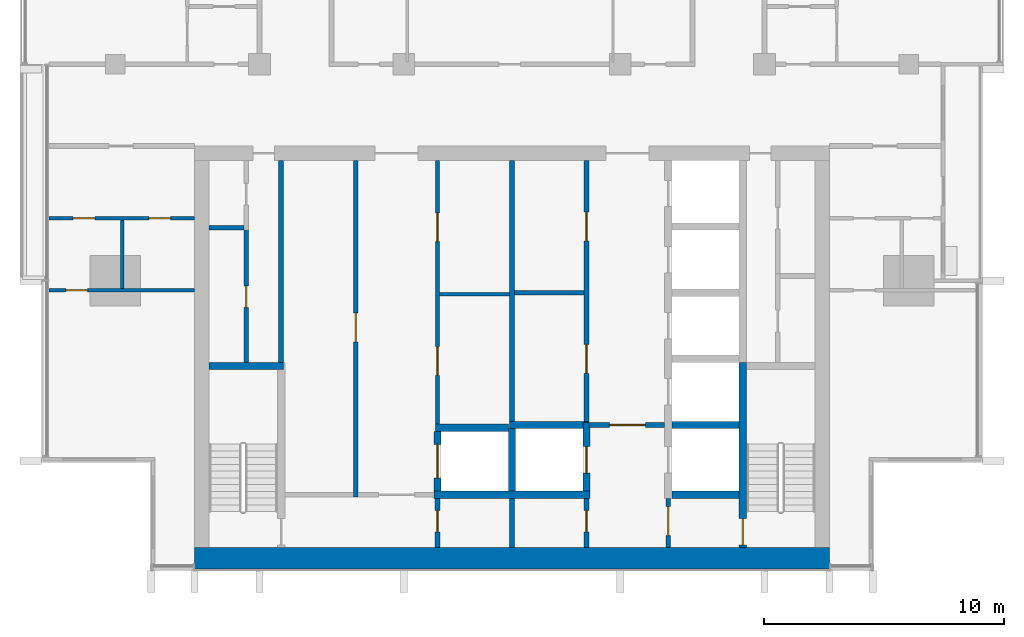
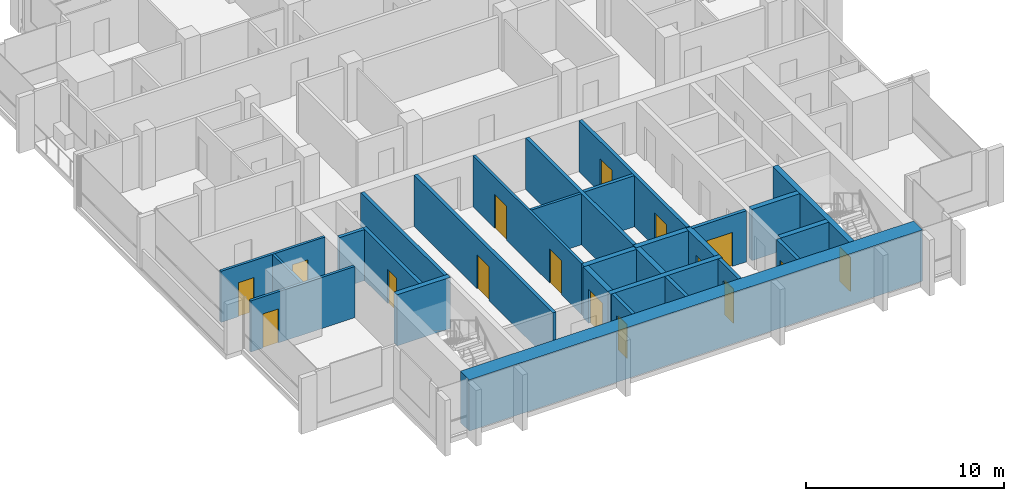
# One storey, part 7 of 16: 28 walls, 16 doors, 16 openings.
"""IFC4 building model written with IfcOpenShell, lengths in metres."""

from ifc_helpers import new_model, si_unit, direction, frame, frame_2d, origin, place, context, subcontext, project, spatial, rectangle, extrude, material, layer, layer_set, type_object, element, fill, save


model = new_model("IFC4")

# Units and contexts
model_context = context("Model", 3, precision=1e-05, world=origin(), true_north=direction((0.0, 1.0)))
body_context = subcontext(model_context, "Body", "Model", "MODEL_VIEW")
ifc_project = project(units=[si_unit("LENGTHUNIT", "METRE"), si_unit("AREAUNIT", "SQUARE_METRE"), si_unit("VOLUMEUNIT", "CUBIC_METRE"), si_unit("PLANEANGLEUNIT", "RADIAN"), si_unit("MASSUNIT", "GRAM", prefix="KILO")], contexts=[model_context])

# Site, building, storey
site_placement = place(None, origin())
site = spatial("IfcSite", under=ifc_project, at=site_placement, CompositionType="ELEMENT")
building_placement = place(site_placement, origin())
building = spatial("IfcBuilding", under=site, at=building_placement, Name="Finial Court Residences", CompositionType="ELEMENT")
storey_placement = place(building_placement, frame((0.0, 0.0, 244.699951171875)))
storey = spatial("IfcBuildingStorey", under=building, at=storey_placement, Name="L62", CompositionType="ELEMENT", Elevation=244.699951171875)

# Wall
ifc_material_1 = material(Name="Fire-rated gypsum board partition")
ifc_layer_1 = layer(ifc_material_1, 0.14990234375)
ifc_layer_set_1 = layer_set([ifc_layer_1], Name="Core room partition 150 EI 60")
wall_type_1 = type_object("IfcWallType", Name="Core room partition 150 EI 60", PredefinedType="PARTITIONING", material=ifc_layer_set_1)
wall_1_placement = place(storey_placement, frame((-3.02490234375, -14.06005859375, 0.0), z_axis=(0.0, 0.0, 1.0), x_axis=(1.0, 0.0, 0.0)))
element("IfcWall", 1, at=wall_1_placement, inside=storey, type_object=wall_type_1, Name="Core partition L62-12", PredefinedType="PARTITIONING", context=body_context, shape_type="SweptSolid", body=[
    extrude(rectangle(XDim=2.9248046875, YDim=0.14990234375, at=frame_2d((1.46240234375, 0.0))), origin(), (0.0, 0.0, 1.0), 3.150146484375),
])

# Wall, openings, doors
wall_2_placement = place(storey_placement, frame((-3.10009765625, -8.5, 0.0), z_axis=(0.0, 0.0, 1.0), x_axis=(0.0, -1.0, 0.0)))
wall_2 = element("IfcWall", 2, at=wall_2_placement, inside=storey, type_object=wall_type_1, Name="Core partition L62-25", PredefinedType="PARTITIONING", context=body_context, shape_type="SweptSolid", body=[
    extrude(rectangle(XDim=10.969970703125, YDim=0.14990234375, at=frame_2d((5.48486328125, 0.0))), origin(), (0.0, 0.0, 1.0), 3.150146484375),
])
opening_1_placement = place(wall_2_placement, frame((7.739990234375, 0.0, 0.0)))
opening_1 = element("IfcOpeningElement", 3, at=opening_1_placement, cuts=wall_2, Name="Opening L62-C17", PredefinedType="OPENING", context=body_context, shape_type="SweptSolid", body=[
    extrude(rectangle(XDim=1.199951171875, YDim=2.10009765625, at=frame_2d((0.60009765625, 1.050048828125))), frame((0.0, 0.0849609375, 0.0), z_axis=(0.0, -1.0, 0.0), x_axis=(1.0, 0.0, 0.0)), (0.0, 0.0, 1.0), 0.169921875),
])
opening_2_placement = place(wall_2_placement, frame((2.179931640625, 0.0, 0.0)))
opening_2 = element("IfcOpeningElement", 4, at=opening_2_placement, cuts=wall_2, Name="Opening L62-C18", PredefinedType="OPENING", context=body_context, shape_type="SweptSolid", body=[
    extrude(rectangle(XDim=1.199951171875, YDim=2.10009765625, at=frame_2d((0.60009765625, 1.050048828125))), frame((0.0, 0.0849609375, 0.0), z_axis=(0.0, -1.0, 0.0), x_axis=(1.0, 0.0, 0.0)), (0.0, 0.0, 1.0), 0.169921875),
])
ifc_material_2 = material(Name="Steel fire door", Category="steel")
door_type_1 = type_object("IfcDoorType", Name="Core room door 1200 x 2100 EI 60", OperationType="NOTDEFINED", PredefinedType="DOOR", material=ifc_material_2)
door_1_placement = place(opening_1_placement, origin())
door_1 = element("IfcDoor", 5, at=door_1_placement, inside=storey, type_object=door_type_1, Name="Core room door L62-C17", OperationType="SINGLE_SWING_LEFT", OverallHeight=2.10009765625, OverallWidth=1.199951171875, PredefinedType="DOOR", context=body_context, shape_type="SweptSolid", body=[
    extrude(rectangle(XDim=1.199951171875, YDim=2.10009765625, at=frame_2d((0.60009765625, 1.050048828125))), frame((0.0, 0.02490234375, 0.0), z_axis=(0.0, -1.0, 0.0), x_axis=(1.0, 0.0, 0.0)), (0.0, 0.0, 1.0), 0.050048828125),
])
fill(opening_1, door_1)
door_2_placement = place(opening_2_placement, origin())
door_2 = element("IfcDoor", 6, at=door_2_placement, inside=storey, type_object=door_type_1, Name="Core room door L62-C18", OperationType="SINGLE_SWING_LEFT", OverallHeight=2.10009765625, OverallWidth=1.199951171875, PredefinedType="DOOR", context=body_context, shape_type="SweptSolid", body=[
    extrude(rectangle(XDim=1.199951171875, YDim=2.10009765625, at=frame_2d((0.60009765625, 1.050048828125))), frame((0.0, 0.02490234375, 0.0), z_axis=(0.0, -1.0, 0.0), x_axis=(1.0, 0.0, 0.0)), (0.0, 0.0, 1.0), 0.050048828125),
])
fill(opening_2, door_2)

# Wall
ifc_material_3 = material(Name="Concrete C60/75", Category="concrete")
ifc_layer_2 = layer(ifc_material_3, 0.89990234375)
ifc_layer_set_2 = layer_set([ifc_layer_2], Name="Core south facade wall 900 Concrete C60/75")
wall_type_2 = type_object("IfcWallType", Name="Core south facade wall 900 Concrete C60/75", PredefinedType="SHEAR", material=ifc_layer_set_2)
wall_3_placement = place(storey_placement, frame((-13.199951171875, -25.050048828125, 0.0), z_axis=(0.0, 0.0, 1.0), x_axis=(1.0, 0.0, 0.0)))
element("IfcWall", 7, at=wall_3_placement, inside=storey, type_object=wall_type_2, Name="Core outer wall L62-01", PredefinedType="SHEAR", context=body_context, shape_type="SweptSolid", body=[
    extrude(rectangle(XDim=26.39990234375, YDim=0.89990234375, at=frame_2d((13.199951171875, 0.0))), origin(), (0.0, 0.0, 1.0), 3.150146484375),
])

# Wall, opening, door
ifc_layer_3 = layer(ifc_material_1, 0.199951171875)
ifc_layer_set_3 = layer_set([ifc_layer_3], Name="Firefighting lobby wall 200 EI 120")
wall_type_3 = type_object("IfcWallType", Name="Firefighting lobby wall 200 EI 120", PredefinedType="PARTITIONING", material=ifc_layer_set_3)
wall_4_placement = place(storey_placement, frame((6.35009765625, -19.5, 0.0), z_axis=(0.0, 0.0, 1.0), x_axis=(-1.0, 0.0, 0.0)))
wall_4 = element("IfcWall", 8, at=wall_4_placement, inside=storey, type_object=wall_type_3, Name="Core partition L62-07", PredefinedType="PARTITIONING", context=body_context, shape_type="SweptSolid", body=[
    extrude(rectangle(XDim=3.150146484375, YDim=0.199951171875, at=frame_2d((1.5751953125, 0.0))), origin(), (0.0, 0.0, 1.0), 3.150146484375),
])
opening_3_placement = place(wall_4_placement, frame((0.800048828125, 0.0, 0.0)))
opening_3 = element("IfcOpeningElement", 9, at=opening_3_placement, cuts=wall_4, Name="Opening L62-C02", PredefinedType="OPENING", context=body_context, shape_type="SweptSolid", body=[
    extrude(rectangle(XDim=1.5, YDim=2.10009765625, at=frame_2d((0.75, 1.050048828125))), frame((0.0, 0.10986328125, 0.0), z_axis=(0.0, -1.0, 0.0), x_axis=(1.0, 0.0, 0.0)), (0.0, 0.0, 1.0), 0.219970703125),
])
door_type_2 = type_object("IfcDoorType", Name="Firefighting lobby door 1500 x 2100 EI 90", OperationType="DOUBLE_DOOR_SINGLE_SWING", PredefinedType="DOOR", material=ifc_material_2)
door_3_placement = place(opening_3_placement, origin())
door_3 = element("IfcDoor", 10, at=door_3_placement, inside=storey, type_object=door_type_2, Name="Firefighting lobby door L62-C02", OperationType="DOUBLE_DOOR_SINGLE_SWING", OverallHeight=2.10009765625, OverallWidth=1.5, PredefinedType="DOOR", context=body_context, shape_type="SweptSolid", body=[
    extrude(rectangle(XDim=1.5, YDim=2.10009765625, at=frame_2d((0.75, 1.050048828125))), frame((0.0, 0.02490234375, 0.0), z_axis=(0.0, -1.0, 0.0), x_axis=(1.0, 0.0, 0.0)), (0.0, 0.0, 1.0), 0.050048828125),
])
fill(opening_3, door_3)

wall_5_placement = place(storey_placement, frame((3.10009765625, -24.60009765625, 0.0), z_axis=(0.0, 0.0, 1.0), x_axis=(0.0, 1.0, 0.0)))
wall_5 = element("IfcWall", 11, at=wall_5_placement, inside=storey, type_object=wall_type_3, Name="Core partition L62-29", PredefinedType="PARTITIONING", context=body_context, shape_type="SweptSolid", body=[
    extrude(rectangle(XDim=2.050048828125, YDim=0.199951171875, at=frame_2d((1.02490234375, 0.0))), origin(), (0.0, 0.0, 1.0), 3.150146484375),
])
opening_4_placement = place(wall_5_placement, frame((0.64990234375, 0.0, 0.0)))
opening_4 = element("IfcOpeningElement", 12, at=opening_4_placement, cuts=wall_5, Name="Opening L62-C06", PredefinedType="OPENING", context=body_context, shape_type="SweptSolid", body=[
    extrude(rectangle(XDim=0.89990234375, YDim=2.10009765625, at=frame_2d((0.449951171875, 1.050048828125))), frame((0.0, 0.10986328125, 0.0), z_axis=(0.0, -1.0, 0.0), x_axis=(1.0, 0.0, 0.0)), (0.0, 0.0, 1.0), 0.219970703125),
])
door_type_3 = type_object("IfcDoorType", Name="Riser room door 900 x 2100 EI 90", OperationType="NOTDEFINED", PredefinedType="DOOR", material=ifc_material_2)
door_4_placement = place(opening_4_placement, origin())
door_4 = element("IfcDoor", 13, at=door_4_placement, inside=storey, type_object=door_type_3, Name="Riser room door L62-C06", OperationType="SINGLE_SWING_LEFT", OverallHeight=2.10009765625, OverallWidth=0.89990234375, PredefinedType="DOOR", context=body_context, shape_type="SweptSolid", body=[
    extrude(rectangle(XDim=0.89990234375, YDim=2.10009765625, at=frame_2d((0.449951171875, 1.050048828125))), frame((0.0, 0.02490234375, 0.0), z_axis=(0.0, -1.0, 0.0), x_axis=(1.0, 0.0, 0.0)), (0.0, 0.0, 1.0), 0.050048828125),
])
fill(opening_4, door_4)

wall_6_placement = place(storey_placement, frame((6.5, -22.550048828125, 0.0), z_axis=(0.0, 0.0, 1.0), x_axis=(0.0, -1.0, 0.0)))
wall_6 = element("IfcWall", 14, at=wall_6_placement, inside=storey, type_object=wall_type_3, Name="Core partition L62-32", PredefinedType="PARTITIONING", context=body_context, shape_type="SweptSolid", body=[
    extrude(rectangle(XDim=2.050048828125, YDim=0.199951171875, at=frame_2d((1.02490234375, 0.0))), origin(), (0.0, 0.0, 1.0), 3.150146484375),
])
opening_5_placement = place(wall_6_placement, frame((0.35009765625, 0.0, 0.0)))
opening_5 = element("IfcOpeningElement", 15, at=opening_5_placement, cuts=wall_6, Name="Opening L62-C01", PredefinedType="OPENING", context=body_context, shape_type="SweptSolid", body=[
    extrude(rectangle(XDim=1.199951171875, YDim=2.10009765625, at=frame_2d((0.60009765625, 1.050048828125))), frame((0.0, 0.10986328125, 0.0), z_axis=(0.0, -1.0, 0.0), x_axis=(1.0, 0.0, 0.0)), (0.0, 0.0, 1.0), 0.219970703125),
])
door_type_4 = type_object("IfcDoorType", Name="Firefighting lobby door 1200 x 2100 EI 90", OperationType="NOTDEFINED", PredefinedType="DOOR", material=ifc_material_2)
door_5_placement = place(opening_5_placement, origin())
door_5 = element("IfcDoor", 16, at=door_5_placement, inside=storey, type_object=door_type_4, Name="Firefighting lobby door L62-C01", OperationType="SINGLE_SWING_RIGHT", OverallHeight=2.10009765625, OverallWidth=1.199951171875, PredefinedType="DOOR", context=body_context, shape_type="SweptSolid", body=[
    extrude(rectangle(XDim=1.199951171875, YDim=2.10009765625, at=frame_2d((0.60009765625, 1.050048828125))), frame((0.0, 0.02490234375, 0.0), z_axis=(0.0, -1.0, 0.0), x_axis=(1.0, 0.0, 0.0)), (0.0, 0.0, 1.0), 0.050048828125),
])
fill(opening_5, door_5)

ifc_material_4 = material(Name="Moisture-resistant gypsum board")
ifc_layer_4 = layer(ifc_material_4, 0.012451171875)
ifc_material_5 = material(Name="Mineral wool in light-gauge frame")
ifc_layer_5 = layer(ifc_material_5, 0.125)
ifc_layer_6 = layer(ifc_material_4, 0.012451171875)
ifc_layer_set_4 = layer_set([ifc_layer_4, ifc_layer_5, ifc_layer_6], Name="Gypsum board wet-area partition 150")
wall_type_4 = type_object("IfcWallType", Name="Gypsum board wet-area partition 150", PredefinedType="PARTITIONING", material=ifc_layer_set_4)
wall_7_placement = place(storey_placement, frame((-19.262451171875, -13.89990234375, 0.0), z_axis=(0.0, 0.0, 1.0), x_axis=(1.0, 0.0, 0.0)))
wall_7 = element("IfcWall", 17, at=wall_7_placement, inside=storey, type_object=wall_type_4, Name="Partition L62-000", PredefinedType="PARTITIONING", context=body_context, shape_type="SweptSolid", body=[
    extrude(rectangle(XDim=6.0625, YDim=0.14990234375, at=frame_2d((3.03125, 0.0))), origin(), (0.0, 0.0, 1.0), 3.150146484375),
])
opening_6_placement = place(wall_7_placement, frame((0.7119140625, 0.0, 0.0)))
opening_6 = element("IfcOpeningElement", 18, at=opening_6_placement, cuts=wall_7, Name="Opening L62-D001", PredefinedType="OPENING", context=body_context, shape_type="SweptSolid", body=[
    extrude(rectangle(XDim=0.89990234375, YDim=2.10009765625, at=frame_2d((0.449951171875, 1.050048828125))), frame((0.0, 0.0849609375, 0.0), z_axis=(0.0, -1.0, 0.0), x_axis=(1.0, 0.0, 0.0)), (0.0, 0.0, 1.0), 0.169921875),
])
ifc_material_6 = material(Name="Timber door leaf in timber frame", Category="wood")
door_type_5 = type_object("IfcDoorType", Name="Door set 900 x 2100", OperationType="SINGLE_SWING_LEFT", PredefinedType="DOOR", material=ifc_material_6)
door_6_placement = place(opening_6_placement, origin())
door_6 = element("IfcDoor", 19, at=door_6_placement, inside=storey, type_object=door_type_5, Name="Door L62-D001", OperationType="SINGLE_SWING_LEFT", OverallHeight=2.10009765625, OverallWidth=0.89990234375, PredefinedType="DOOR", context=body_context, shape_type="SweptSolid", body=[
    extrude(rectangle(XDim=0.89990234375, YDim=2.10009765625, at=frame_2d((0.449951171875, 1.050048828125))), frame((0.0, 0.02490234375, 0.0), z_axis=(0.0, -1.0, 0.0), x_axis=(1.0, 0.0, 0.0)), (0.0, 0.0, 1.0), 0.050048828125),
])
fill(opening_6, door_6)

# Wall, openings, doors
wall_8_placement = place(storey_placement, frame((-19.262451171875, -10.89990234375, 0.0), z_axis=(0.0, 0.0, 1.0), x_axis=(1.0, 0.0, 0.0)))
wall_8 = element("IfcWall", 20, at=wall_8_placement, inside=storey, type_object=wall_type_4, Name="Partition L62-002", PredefinedType="PARTITIONING", context=body_context, shape_type="SweptSolid", body=[
    extrude(rectangle(XDim=6.0625, YDim=0.14990234375, at=frame_2d((3.03125, 0.0))), origin(), (0.0, 0.0, 1.0), 3.150146484375),
])
opening_7_placement = place(wall_8_placement, frame((1.011962890625, 0.0, 0.0)))
opening_7 = element("IfcOpeningElement", 21, at=opening_7_placement, cuts=wall_8, Name="Opening L62-D003", PredefinedType="OPENING", context=body_context, shape_type="SweptSolid", body=[
    extrude(rectangle(XDim=0.89990234375, YDim=2.10009765625, at=frame_2d((0.449951171875, 1.050048828125))), frame((0.0, 0.0849609375, 0.0), z_axis=(0.0, -1.0, 0.0), x_axis=(1.0, 0.0, 0.0)), (0.0, 0.0, 1.0), 0.169921875),
])
opening_8_placement = place(wall_8_placement, frame((4.162109375, 0.0, 0.0)))
opening_8 = element("IfcOpeningElement", 22, at=opening_8_placement, cuts=wall_8, Name="Opening L62-D004", PredefinedType="OPENING", context=body_context, shape_type="SweptSolid", body=[
    extrude(rectangle(XDim=0.89990234375, YDim=2.10009765625, at=frame_2d((0.449951171875, 1.050048828125))), frame((0.0, 0.0849609375, 0.0), z_axis=(0.0, -1.0, 0.0), x_axis=(1.0, 0.0, 0.0)), (0.0, 0.0, 1.0), 0.169921875),
])
door_7_placement = place(opening_7_placement, origin())
door_7 = element("IfcDoor", 23, at=door_7_placement, inside=storey, type_object=door_type_5, Name="Door L62-D003", OperationType="SINGLE_SWING_LEFT", OverallHeight=2.10009765625, OverallWidth=0.89990234375, PredefinedType="DOOR", context=body_context, shape_type="SweptSolid", body=[
    extrude(rectangle(XDim=0.89990234375, YDim=2.10009765625, at=frame_2d((0.449951171875, 1.050048828125))), frame((0.0, 0.02490234375, 0.0), z_axis=(0.0, -1.0, 0.0), x_axis=(1.0, 0.0, 0.0)), (0.0, 0.0, 1.0), 0.050048828125),
])
fill(opening_7, door_7)
door_8_placement = place(opening_8_placement, origin())
door_8 = element("IfcDoor", 24, at=door_8_placement, inside=storey, type_object=door_type_5, Name="Door L62-D004", OperationType="SINGLE_SWING_RIGHT", OverallHeight=2.10009765625, OverallWidth=0.89990234375, PredefinedType="DOOR", context=body_context, shape_type="SweptSolid", body=[
    extrude(rectangle(XDim=0.89990234375, YDim=2.10009765625, at=frame_2d((0.449951171875, 1.050048828125))), frame((0.0, 0.02490234375, 0.0), z_axis=(0.0, -1.0, 0.0), x_axis=(1.0, 0.0, 0.0)), (0.0, 0.0, 1.0), 0.050048828125),
])
fill(opening_8, door_8)

# Walls
wall_9_placement = place(storey_placement, frame((-16.199951171875, -13.824951171875, 0.0), z_axis=(0.0, 0.0, 1.0), x_axis=(0.0, 1.0, 0.0)))
element("IfcWall", 25, at=wall_9_placement, inside=storey, type_object=wall_type_4, Name="Partition L62-029", PredefinedType="PARTITIONING", context=body_context, shape_type="SweptSolid", body=[
    extrude(rectangle(XDim=2.849853515625, YDim=0.14990234375, at=frame_2d((1.4248046875, 0.0))), origin(), (0.0, 0.0, 1.0), 3.150146484375),
])
ifc_layer_7 = layer(ifc_material_3, 0.300048828125)
ifc_layer_set_5 = layer_set([ifc_layer_7], Name="Lift shaft and stair wall 300 Concrete C60/75")
wall_type_5 = type_object("IfcWallType", Name="Lift shaft and stair wall 300 Concrete C60/75", PredefinedType="SHEAR", material=ifc_layer_set_5)
wall_10_placement = place(storey_placement, frame((-3.25, -22.39990234375, 0.0), z_axis=(0.0, 0.0, 1.0), x_axis=(1.0, 0.0, 0.0)))
element("IfcWall", 26, at=wall_10_placement, inside=storey, type_object=wall_type_5, Name="Core wall L62-03", PredefinedType="SHEAR", context=body_context, shape_type="SweptSolid", body=[
    extrude(rectangle(XDim=6.5, YDim=0.300048828125, at=frame_2d((3.25, 0.0))), origin(), (0.0, 0.0, 1.0), 3.150146484375),
])
wall_11_placement = place(storey_placement, frame((6.64990234375, -22.39990234375, 0.0), z_axis=(0.0, 0.0, 1.0), x_axis=(1.0, 0.0, 0.0)))
element("IfcWall", 27, at=wall_11_placement, inside=storey, type_object=wall_type_5, Name="Core wall L62-04", PredefinedType="SHEAR", context=body_context, shape_type="SweptSolid", body=[
    extrude(rectangle(XDim=2.800048828125, YDim=0.300048828125, at=frame_2d((1.39990234375, 0.0))), origin(), (0.0, 0.0, 1.0), 3.150146484375),
])
wall_12_placement = place(storey_placement, frame((-3.175048828125, -19.6201171875, 0.0), z_axis=(0.0, 0.0, 1.0), x_axis=(1.0, 0.0, 0.0)))
element("IfcWall", 28, at=wall_12_placement, inside=storey, type_object=wall_type_5, Name="Core wall L62-05", PredefinedType="SHEAR", context=body_context, shape_type="SweptSolid", body=[
    extrude(rectangle(XDim=3.025146484375, YDim=0.300048828125, at=frame_2d((1.5126953125, 0.0))), origin(), (0.0, 0.0, 1.0), 3.150146484375),
])
wall_13_placement = place(storey_placement, frame((-0.10009765625, -19.5, 0.0), z_axis=(0.0, 0.0, 1.0), x_axis=(1.0, 0.0, 0.0)))
element("IfcWall", 29, at=wall_13_placement, inside=storey, type_object=wall_type_5, Name="Core wall L62-06", PredefinedType="SHEAR", context=body_context, shape_type="SweptSolid", body=[
    extrude(rectangle(XDim=3.300048828125, YDim=0.300048828125, at=frame_2d((1.64990234375, 0.0))), origin(), (0.0, 0.0, 1.0), 3.150146484375),
])
wall_14_placement = place(storey_placement, frame((6.64990234375, -19.5, 0.0), z_axis=(0.0, 0.0, 1.0), x_axis=(1.0, 0.0, 0.0)))
element("IfcWall", 30, at=wall_14_placement, inside=storey, type_object=wall_type_5, Name="Core wall L62-08", PredefinedType="SHEAR", context=body_context, shape_type="SweptSolid", body=[
    extrude(rectangle(XDim=2.800048828125, YDim=0.300048828125, at=frame_2d((1.39990234375, 0.0))), origin(), (0.0, 0.0, 1.0), 3.150146484375),
])
wall_15_placement = place(storey_placement, frame((-12.60009765625, -17.050048828125, 0.0), z_axis=(0.0, 0.0, 1.0), x_axis=(1.0, 0.0, 0.0)))
element("IfcWall", 31, at=wall_15_placement, inside=storey, type_object=wall_type_5, Name="Core wall L62-09", PredefinedType="SHEAR", context=body_context, shape_type="SweptSolid", body=[
    extrude(rectangle(XDim=3.10009765625, YDim=0.300048828125, at=frame_2d((1.550048828125, 0.0))), origin(), (0.0, 0.0, 1.0), 3.150146484375),
])

# Wall, opening, door
wall_16_placement = place(storey_placement, frame((-3.10009765625, -22.25, 0.0), z_axis=(0.0, 0.0, 1.0), x_axis=(0.0, 1.0, 0.0)))
wall_16 = element("IfcWall", 32, at=wall_16_placement, inside=storey, type_object=wall_type_5, Name="Core wall L62-24", PredefinedType="SHEAR", context=body_context, shape_type="SweptSolid", body=[
    extrude(rectangle(XDim=2.47998046875, YDim=0.300048828125, at=frame_2d((1.239990234375, 0.0))), origin(), (0.0, 0.0, 1.0), 3.150146484375),
])
opening_9_placement = place(wall_16_placement, frame((0.5400390625, 0.0, 0.0)))
opening_9 = element("IfcOpeningElement", 33, at=opening_9_placement, cuts=wall_16, Name="Opening L62-LD07", PredefinedType="OPENING", context=body_context, shape_type="SweptSolid", body=[
    extrude(rectangle(XDim=1.39990234375, YDim=2.10009765625, at=frame_2d((0.699951171875, 1.050048828125))), frame((0.0, 0.159912109375, 0.0), z_axis=(0.0, -1.0, 0.0), x_axis=(1.0, 0.0, 0.0)), (0.0, 0.0, 1.0), 0.320068359375),
])
ifc_material_7 = material(Name="Stainless steel lift door", Category="steel")
door_type_6 = type_object("IfcDoorType", Name="Lift landing door 1400 x 2100 EI 90", OperationType="DOUBLE_DOOR_SLIDING", PredefinedType="DOOR", material=ifc_material_7)
door_9_placement = place(opening_9_placement, origin())
door_9 = element("IfcDoor", 34, at=door_9_placement, inside=storey, type_object=door_type_6, Name="Lift landing door SV1 L62", OperationType="DOUBLE_DOOR_SLIDING", OverallHeight=2.10009765625, OverallWidth=1.39990234375, PredefinedType="DOOR", context=body_context, shape_type="SweptSolid", body=[
    extrude(rectangle(XDim=1.39990234375, YDim=2.10009765625, at=frame_2d((0.699951171875, 1.050048828125))), frame((0.0, 0.02490234375, 0.0), z_axis=(0.0, -1.0, 0.0), x_axis=(1.0, 0.0, 0.0)), (0.0, 0.0, 1.0), 0.050048828125),
])
fill(opening_9, door_9)

# Wall
wall_17_placement = place(storey_placement, frame((0.0, -22.25, 0.0), z_axis=(0.0, 0.0, 1.0), x_axis=(0.0, 1.0, 0.0)))
element("IfcWall", 35, at=wall_17_placement, inside=storey, type_object=wall_type_5, Name="Core wall L62-27", PredefinedType="SHEAR", context=body_context, shape_type="SweptSolid", body=[
    extrude(rectangle(XDim=2.60009765625, YDim=0.300048828125, at=frame_2d((1.300048828125, 0.0))), origin(), (0.0, 0.0, 1.0), 3.150146484375),
])

# Wall, opening, door
wall_18_placement = place(storey_placement, frame((3.10009765625, -22.25, 0.0), z_axis=(0.0, 0.0, 1.0), x_axis=(0.0, 1.0, 0.0)))
wall_18 = element("IfcWall", 36, at=wall_18_placement, inside=storey, type_object=wall_type_5, Name="Core wall L62-30", PredefinedType="SHEAR", context=body_context, shape_type="SweptSolid", body=[
    extrude(rectangle(XDim=2.85009765625, YDim=0.300048828125, at=frame_2d((1.425048828125, 0.0))), origin(), (0.0, 0.0, 1.0), 3.150146484375),
])
opening_10_placement = place(wall_18_placement, frame((0.75, 0.0, 0.0)))
opening_10 = element("IfcOpeningElement", 37, at=opening_10_placement, cuts=wall_18, Name="Opening L62-LD01", PredefinedType="OPENING", context=body_context, shape_type="SweptSolid", body=[
    extrude(rectangle(XDim=1.10009765625, YDim=2.10009765625, at=frame_2d((0.550048828125, 1.050048828125))), frame((0.0, 0.159912109375, 0.0), z_axis=(0.0, -1.0, 0.0), x_axis=(1.0, 0.0, 0.0)), (0.0, 0.0, 1.0), 0.320068359375),
])
door_type_7 = type_object("IfcDoorType", Name="Lift landing door 1100 x 2100 EI 90", OperationType="DOUBLE_DOOR_SLIDING", PredefinedType="DOOR", material=ifc_material_7)
door_10_placement = place(opening_10_placement, origin())
door_10 = element("IfcDoor", 38, at=door_10_placement, inside=storey, type_object=door_type_7, Name="Lift landing door FF1 L62", OperationType="DOUBLE_DOOR_SLIDING", OverallHeight=2.10009765625, OverallWidth=1.10009765625, PredefinedType="DOOR", context=body_context, shape_type="SweptSolid", body=[
    extrude(rectangle(XDim=1.10009765625, YDim=2.10009765625, at=frame_2d((0.550048828125, 1.050048828125))), frame((0.0, 0.02490234375, 0.0), z_axis=(0.0, -1.0, 0.0), x_axis=(1.0, 0.0, 0.0)), (0.0, 0.0, 1.0), 0.050048828125),
])
fill(opening_10, door_10)

wall_19_placement = place(storey_placement, frame((9.60009765625, -16.89990234375, 0.0), z_axis=(0.0, 0.0, 1.0), x_axis=(0.0, -1.0, 0.0)))
wall_19 = element("IfcWall", 39, at=wall_19_placement, inside=storey, type_object=wall_type_5, Name="Core wall L62-34", PredefinedType="SHEAR", context=body_context, shape_type="SweptSolid", body=[
    extrude(rectangle(XDim=7.7001953125, YDim=0.300048828125, at=frame_2d((3.85009765625, 0.0))), origin(), (0.0, 0.0, 1.0), 3.150146484375),
])
opening_11_placement = place(wall_19_placement, frame((6.5, 0.0, 0.0)))
opening_11 = element("IfcOpeningElement", 40, at=opening_11_placement, cuts=wall_19, Name="Opening L62-C20", PredefinedType="OPENING", context=body_context, shape_type="SweptSolid", body=[
    extrude(rectangle(XDim=1.10009765625, YDim=2.10009765625, at=frame_2d((0.550048828125, 1.050048828125))), frame((0.0, 0.159912109375, 0.0), z_axis=(0.0, -1.0, 0.0), x_axis=(1.0, 0.0, 0.0)), (0.0, 0.0, 1.0), 0.320068359375),
])
door_type_8 = type_object("IfcDoorType", Name="Stair door 1100 x 2100 EI 90", OperationType="NOTDEFINED", PredefinedType="DOOR", material=ifc_material_2)
door_11_placement = place(opening_11_placement, origin())
door_11 = element("IfcDoor", 41, at=door_11_placement, inside=storey, type_object=door_type_8, Name="Stair door L62-C20", OperationType="SINGLE_SWING_RIGHT", OverallHeight=2.10009765625, OverallWidth=1.10009765625, PredefinedType="DOOR", context=body_context, shape_type="SweptSolid", body=[
    extrude(rectangle(XDim=1.10009765625, YDim=2.10009765625, at=frame_2d((0.550048828125, 1.050048828125))), frame((0.0, 0.02490234375, 0.0), z_axis=(0.0, -1.0, 0.0), x_axis=(1.0, 0.0, 0.0)), (0.0, 0.0, 1.0), 0.050048828125),
])
fill(opening_11, door_11)

# Walls
ifc_layer_8 = layer(ifc_material_1, 0.199951171875)
ifc_layer_set_6 = layer_set([ifc_layer_8], Name="Riser room wall 200 EI 120")
wall_type_6 = type_object("IfcWallType", Name="Riser room wall 200 EI 120", PredefinedType="PARTITIONING", material=ifc_layer_set_6)
wall_20_placement = place(storey_placement, frame((0.10009765625, -14.0, 0.0), z_axis=(0.0, 0.0, 1.0), x_axis=(1.0, 0.0, 0.0)))
element("IfcWall", 42, at=wall_20_placement, inside=storey, type_object=wall_type_6, Name="Core partition L62-13", PredefinedType="PARTITIONING", context=body_context, shape_type="SweptSolid", body=[
    extrude(rectangle(XDim=2.89990234375, YDim=0.199951171875, at=frame_2d((1.449951171875, 0.0))), origin(), (0.0, 0.0, 1.0), 3.150146484375),
])
wall_21_placement = place(storey_placement, frame((-12.60009765625, -11.300048828125, 0.0), z_axis=(0.0, 0.0, 1.0), x_axis=(1.0, 0.0, 0.0)))
element("IfcWall", 43, at=wall_21_placement, inside=storey, type_object=wall_type_6, Name="Core partition L62-16", PredefinedType="PARTITIONING", context=body_context, shape_type="SweptSolid", body=[
    extrude(rectangle(XDim=1.4501953125, YDim=0.199951171875, at=frame_2d((0.72509765625, 0.0))), origin(), (0.0, 0.0, 1.0), 3.150146484375),
])
wall_22_placement = place(storey_placement, frame((-9.60009765625, -16.89990234375, 0.0), z_axis=(0.0, 0.0, 1.0), x_axis=(0.0, 1.0, 0.0)))
element("IfcWall", 44, at=wall_22_placement, inside=storey, type_object=wall_type_6, Name="Core partition L62-21", PredefinedType="PARTITIONING", context=body_context, shape_type="SweptSolid", body=[
    extrude(rectangle(XDim=8.39990234375, YDim=0.199951171875, at=frame_2d((4.199951171875, 0.0))), origin(), (0.0, 0.0, 1.0), 3.150146484375),
])

# Wall, opening, door
wall_23_placement = place(storey_placement, frame((-6.5, -22.5, 0.0), z_axis=(0.0, 0.0, 1.0), x_axis=(0.0, 1.0, 0.0)))
wall_23 = element("IfcWall", 45, at=wall_23_placement, inside=storey, type_object=wall_type_6, Name="Core partition L62-22", PredefinedType="PARTITIONING", context=body_context, shape_type="SweptSolid", body=[
    extrude(rectangle(XDim=14.0, YDim=0.199951171875, at=frame_2d((7.0, 0.0))), origin(), (0.0, 0.0, 1.0), 3.150146484375),
])
opening_12_placement = place(wall_23_placement, frame((6.449951171875, 0.0, 0.0)))
opening_12 = element("IfcOpeningElement", 46, at=opening_12_placement, cuts=wall_23, Name="Opening L62-C09", PredefinedType="OPENING", context=body_context, shape_type="SweptSolid", body=[
    extrude(rectangle(XDim=1.199951171875, YDim=2.10009765625, at=frame_2d((0.60009765625, 1.050048828125))), frame((0.0, 0.10986328125, 0.0), z_axis=(0.0, -1.0, 0.0), x_axis=(1.0, 0.0, 0.0)), (0.0, 0.0, 1.0), 0.219970703125),
])
door_type_9 = type_object("IfcDoorType", Name="Riser room door 1200 x 2100 EI 90", OperationType="NOTDEFINED", PredefinedType="DOOR", material=ifc_material_2)
door_12_placement = place(opening_12_placement, origin())
door_12 = element("IfcDoor", 47, at=door_12_placement, inside=storey, type_object=door_type_9, Name="Riser room door L62-C09", OperationType="SINGLE_SWING_LEFT", OverallHeight=2.10009765625, OverallWidth=1.199951171875, PredefinedType="DOOR", context=body_context, shape_type="SweptSolid", body=[
    extrude(rectangle(XDim=1.199951171875, YDim=2.10009765625, at=frame_2d((0.60009765625, 1.050048828125))), frame((0.0, 0.02490234375, 0.0), z_axis=(0.0, -1.0, 0.0), x_axis=(1.0, 0.0, 0.0)), (0.0, 0.0, 1.0), 0.050048828125),
])
fill(opening_12, door_12)

# Walls
wall_24_placement = place(storey_placement, frame((0.0, -24.60009765625, 0.0), z_axis=(0.0, 0.0, 1.0), x_axis=(0.0, 1.0, 0.0)))
element("IfcWall", 48, at=wall_24_placement, inside=storey, type_object=wall_type_6, Name="Core partition L62-26", PredefinedType="PARTITIONING", context=body_context, shape_type="SweptSolid", body=[
    extrude(rectangle(XDim=2.050048828125, YDim=0.199951171875, at=frame_2d((1.02490234375, 0.0))), origin(), (0.0, 0.0, 1.0), 3.150146484375),
])
wall_25_placement = place(storey_placement, frame((0.0, -19.35009765625, 0.0), z_axis=(0.0, 0.0, 1.0), x_axis=(0.0, 1.0, 0.0)))
element("IfcWall", 49, at=wall_25_placement, inside=storey, type_object=wall_type_6, Name="Core partition L62-28", PredefinedType="PARTITIONING", context=body_context, shape_type="SweptSolid", body=[
    extrude(rectangle(XDim=10.85009765625, YDim=0.199951171875, at=frame_2d((5.425048828125, 0.0))), origin(), (0.0, 0.0, 1.0), 3.150146484375),
])

# Wall, openings, doors
wall_26_placement = place(storey_placement, frame((3.10009765625, -19.60009765625, 0.0), z_axis=(0.0, 0.0, 1.0), x_axis=(0.0, 1.0, 0.0)))
wall_26 = element("IfcWall", 50, at=wall_26_placement, inside=storey, type_object=wall_type_6, Name="Core partition L62-31", PredefinedType="PARTITIONING", context=body_context, shape_type="SweptSolid", body=[
    extrude(rectangle(XDim=11.10009765625, YDim=0.199951171875, at=frame_2d((5.550048828125, 0.0))), origin(), (0.0, 0.0, 1.0), 3.150146484375),
])
opening_13_placement = place(wall_26_placement, frame((2.25, 0.0, 0.0)))
opening_13 = element("IfcOpeningElement", 51, at=opening_13_placement, cuts=wall_26, Name="Opening L62-C10", PredefinedType="OPENING", context=body_context, shape_type="SweptSolid", body=[
    extrude(rectangle(XDim=1.199951171875, YDim=2.10009765625, at=frame_2d((0.60009765625, 1.050048828125))), frame((0.0, 0.10986328125, 0.0), z_axis=(0.0, -1.0, 0.0), x_axis=(1.0, 0.0, 0.0)), (0.0, 0.0, 1.0), 0.219970703125),
])
opening_14_placement = place(wall_26_placement, frame((7.75, 0.0, 0.0)))
opening_14 = element("IfcOpeningElement", 52, at=opening_14_placement, cuts=wall_26, Name="Opening L62-C11", PredefinedType="OPENING", context=body_context, shape_type="SweptSolid", body=[
    extrude(rectangle(XDim=1.199951171875, YDim=2.10009765625, at=frame_2d((0.60009765625, 1.050048828125))), frame((0.0, 0.10986328125, 0.0), z_axis=(0.0, -1.0, 0.0), x_axis=(1.0, 0.0, 0.0)), (0.0, 0.0, 1.0), 0.219970703125),
])
door_13_placement = place(opening_13_placement, origin())
door_13 = element("IfcDoor", 53, at=door_13_placement, inside=storey, type_object=door_type_9, Name="Riser room door L62-C10", OperationType="SINGLE_SWING_LEFT", OverallHeight=2.10009765625, OverallWidth=1.199951171875, PredefinedType="DOOR", context=body_context, shape_type="SweptSolid", body=[
    extrude(rectangle(XDim=1.199951171875, YDim=2.10009765625, at=frame_2d((0.60009765625, 1.050048828125))), frame((0.0, 0.02490234375, 0.0), z_axis=(0.0, -1.0, 0.0), x_axis=(1.0, 0.0, 0.0)), (0.0, 0.0, 1.0), 0.050048828125),
])
fill(opening_13, door_13)
door_14_placement = place(opening_14_placement, origin())
door_14 = element("IfcDoor", 54, at=door_14_placement, inside=storey, type_object=door_type_9, Name="Riser room door L62-C11", OperationType="SINGLE_SWING_LEFT", OverallHeight=2.10009765625, OverallWidth=1.199951171875, PredefinedType="DOOR", context=body_context, shape_type="SweptSolid", body=[
    extrude(rectangle(XDim=1.199951171875, YDim=2.10009765625, at=frame_2d((0.60009765625, 1.050048828125))), frame((0.0, 0.02490234375, 0.0), z_axis=(0.0, -1.0, 0.0), x_axis=(1.0, 0.0, 0.0)), (0.0, 0.0, 1.0), 0.050048828125),
])
fill(opening_14, door_14)

# Wall, opening, door
ifc_layer_9 = layer(ifc_material_1, 0.199951171875)
ifc_layer_set_7 = layer_set([ifc_layer_9], Name="Stair passage wall 200 EI 180")
wall_type_7 = type_object("IfcWallType", Name="Stair passage wall 200 EI 180", PredefinedType="PARTITIONING", material=ifc_layer_set_7)
wall_27_placement = place(storey_placement, frame((-11.050048828125, -16.89990234375, 0.0), z_axis=(0.0, 0.0, 1.0), x_axis=(0.0, 1.0, 0.0)))
wall_27 = element("IfcWall", 55, at=wall_27_placement, inside=storey, type_object=wall_type_7, Name="Core partition L62-18", PredefinedType="PARTITIONING", context=body_context, shape_type="SweptSolid", body=[
    extrude(rectangle(XDim=5.699951171875, YDim=0.199951171875, at=frame_2d((2.85009765625, 0.0))), origin(), (0.0, 0.0, 1.0), 3.150146484375),
])
opening_15_placement = place(wall_27_placement, frame((2.27490234375, 0.0, 0.0)))
opening_15 = element("IfcOpeningElement", 56, at=opening_15_placement, cuts=wall_27, Name="Opening L62-C15", PredefinedType="OPENING", context=body_context, shape_type="SweptSolid", body=[
    extrude(rectangle(XDim=0.89990234375, YDim=2.10009765625, at=frame_2d((0.449951171875, 1.050048828125))), frame((0.0, 0.10986328125, 0.0), z_axis=(0.0, -1.0, 0.0), x_axis=(1.0, 0.0, 0.0)), (0.0, 0.0, 1.0), 0.219970703125),
])
door_type_10 = type_object("IfcDoorType", Name="Core room door 900 x 2100 EI 60", OperationType="NOTDEFINED", PredefinedType="DOOR", material=ifc_material_2)
door_15_placement = place(opening_15_placement, origin())
door_15 = element("IfcDoor", 57, at=door_15_placement, inside=storey, type_object=door_type_10, Name="Core room door L62-C15", OperationType="SINGLE_SWING_LEFT", OverallHeight=2.10009765625, OverallWidth=0.89990234375, PredefinedType="DOOR", context=body_context, shape_type="SweptSolid", body=[
    extrude(rectangle(XDim=0.89990234375, YDim=2.10009765625, at=frame_2d((0.449951171875, 1.050048828125))), frame((0.0, 0.02490234375, 0.0), z_axis=(0.0, -1.0, 0.0), x_axis=(1.0, 0.0, 0.0)), (0.0, 0.0, 1.0), 0.050048828125),
])
fill(opening_15, door_15)

wall_28_placement = place(storey_placement, frame((-3.10009765625, -22.550048828125, 0.0), z_axis=(0.0, 0.0, 1.0), x_axis=(0.0, -1.0, 0.0)))
wall_28 = element("IfcWall", 58, at=wall_28_placement, inside=storey, type_object=wall_type_7, Name="Core partition L62-23", PredefinedType="PARTITIONING", context=body_context, shape_type="SweptSolid", body=[
    extrude(rectangle(XDim=2.050048828125, YDim=0.199951171875, at=frame_2d((1.02490234375, 0.0))), origin(), (0.0, 0.0, 1.0), 3.150146484375),
])
opening_16_placement = place(wall_28_placement, frame((0.5, 0.0, 0.0)))
opening_16 = element("IfcOpeningElement", 59, at=opening_16_placement, cuts=wall_28, Name="Opening L62-C14", PredefinedType="OPENING", context=body_context, shape_type="SweptSolid", body=[
    extrude(rectangle(XDim=0.89990234375, YDim=2.10009765625, at=frame_2d((0.449951171875, 1.050048828125))), frame((0.0, 0.10986328125, 0.0), z_axis=(0.0, -1.0, 0.0), x_axis=(1.0, 0.0, 0.0)), (0.0, 0.0, 1.0), 0.219970703125),
])
door_16_placement = place(opening_16_placement, origin())
door_16 = element("IfcDoor", 60, at=door_16_placement, inside=storey, type_object=door_type_10, Name="Core room door L62-C14", OperationType="SINGLE_SWING_RIGHT", OverallHeight=2.10009765625, OverallWidth=0.89990234375, PredefinedType="DOOR", context=body_context, shape_type="SweptSolid", body=[
    extrude(rectangle(XDim=0.89990234375, YDim=2.10009765625, at=frame_2d((0.449951171875, 1.050048828125))), frame((0.0, 0.02490234375, 0.0), z_axis=(0.0, -1.0, 0.0), x_axis=(1.0, 0.0, 0.0)), (0.0, 0.0, 1.0), 0.050048828125),
])
fill(opening_16, door_16)

save(model, "model.ifc")
